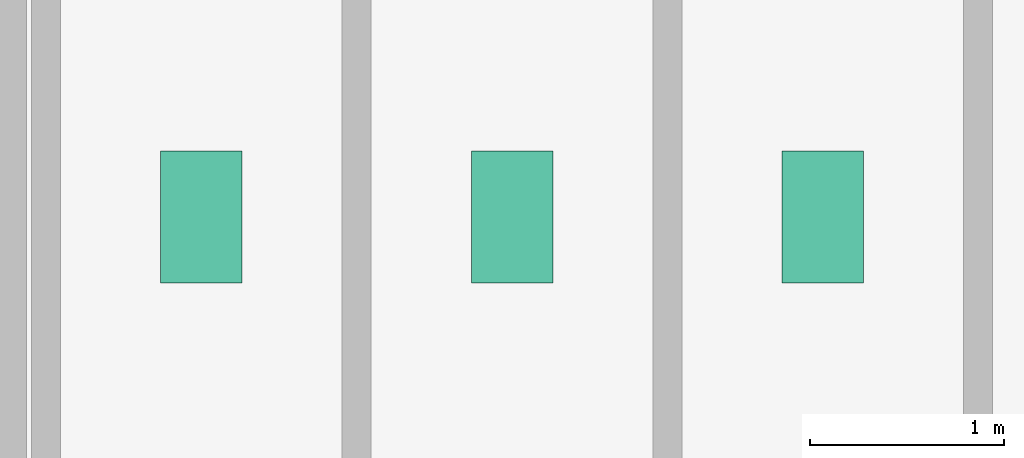
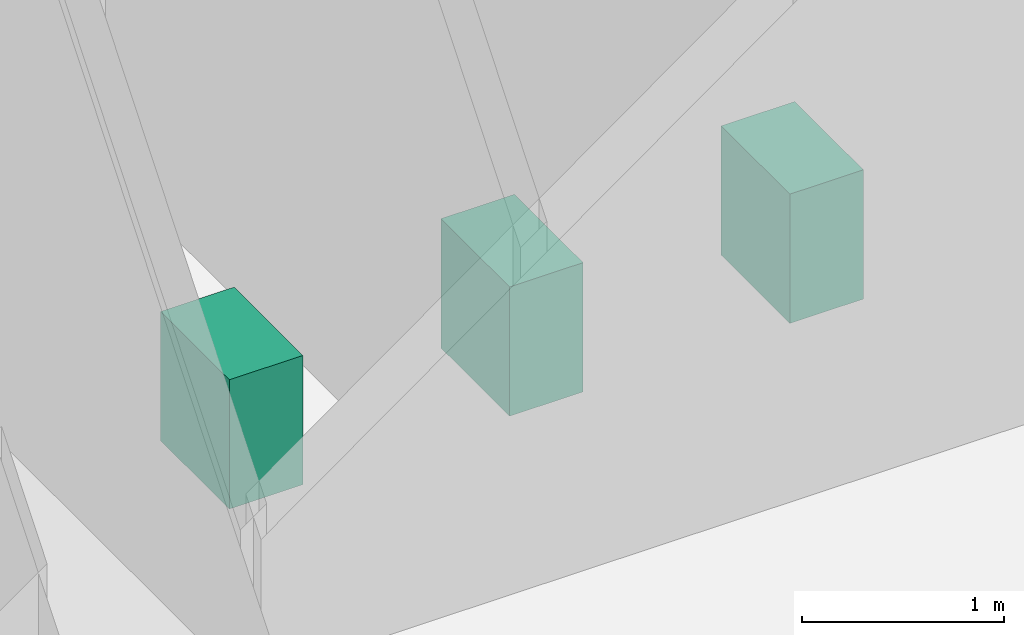
# One storey, part 22 of 22: 3 sanitary terminals.
"""IFC4 building model written with IfcOpenShell, lengths in metres."""

from ifc_helpers import new_model, si_unit, derived_unit, direction, frame, origin, origin_2d, place, context, subcontext, project, spatial, rectangle, extrude, source, transform, mapped, material, type_object, element, save


model = new_model("IFC4")

# Units and contexts
model_context = context("Model", 3, precision=1e-05, world=origin(), true_north=direction((0.0, 1.0)))
body_context = subcontext(model_context, "Body", "Model", "MODEL_VIEW")
ifc_project = project(units=[si_unit("LENGTHUNIT", "METRE"), si_unit("AREAUNIT", "SQUARE_METRE"), si_unit("VOLUMEUNIT", "CUBIC_METRE"), si_unit("PLANEANGLEUNIT", "RADIAN"), si_unit("MASSUNIT", "GRAM", prefix="KILO"), derived_unit("THERMALTRANSMITTANCEUNIT", [(si_unit("POWERUNIT", "WATT"), 1), (si_unit("LENGTHUNIT", "METRE"), -2), (si_unit("THERMODYNAMICTEMPERATUREUNIT", "KELVIN"), -1)])], contexts=[model_context])

# Site, building, storey
site_placement = place(None, origin())
site = spatial("IfcSite", under=ifc_project, at=site_placement, CompositionType="ELEMENT")
building_placement = place(site_placement, origin())
building = spatial("IfcBuilding", under=site, at=building_placement, Name="Skarnbrae Concourse Arena and Tower", CompositionType="ELEMENT")
storey_placement = place(building_placement, frame((0.0, 0.0, 76.300048828125)))
storey = spatial("IfcBuildingStorey", under=building, at=storey_placement, Name="L18", CompositionType="ELEMENT", Elevation=76.300048828125)

# Sanitary terminals
ifc_material = material(Name="Vitreous china sanitaryware", Category="other")
sanitary_terminal_type = type_object("IfcSanitaryTerminalType", Name="SAN-WC-VITREOUS", PredefinedType="TOILETPAN", material=ifc_material)
shared_shape = source(origin(), body_context, "Body", "SweptSolid", [
    extrude(rectangle(XDim=0.419921875, YDim=0.679931640625, at=origin_2d()), origin(), (0.0, 0.0, 1.0), 0.780029296875),
])
for number, where, z_axis, x_axis, name in (
    (1, (35.0, 11.39990234375, 0.0), (0.0, 0.0, 1.0), (1.0, 0.0, 0.0), "L18 Washroom WC fixture 1"),
    (2, (36.60009765625, 11.39990234375, 0.0), (0.0, 0.0, 1.0), (1.0, 0.0, 0.0), "L18 Washroom WC fixture 2"),
    (3, (38.199951171875, 11.39990234375, 0.0), (0.0, 0.0, 1.0), (1.0, 0.0, 0.0), "L18 Washroom WC fixture 3"),
):
    element("IfcSanitaryTerminal", number, at=place(storey_placement, frame(where, z_axis=z_axis, x_axis=x_axis)), inside=storey, type_object=sanitary_terminal_type, Name=name, PredefinedType="TOILETPAN", context=body_context, shape_type="MappedRepresentation", body=[
        mapped(shared_shape, transform((0.0, 0.0, 0.0))),
    ])

save(model, "model.ifc")
